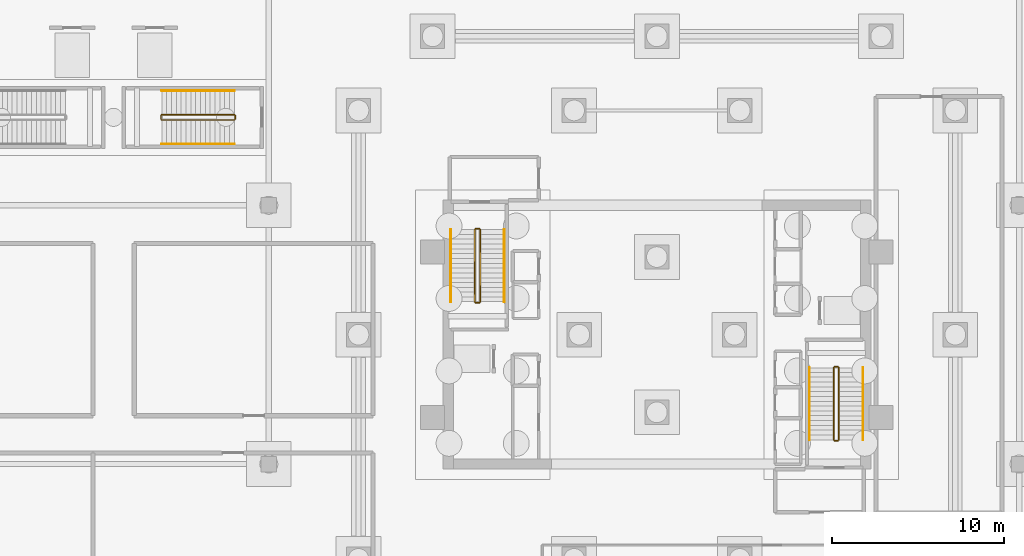
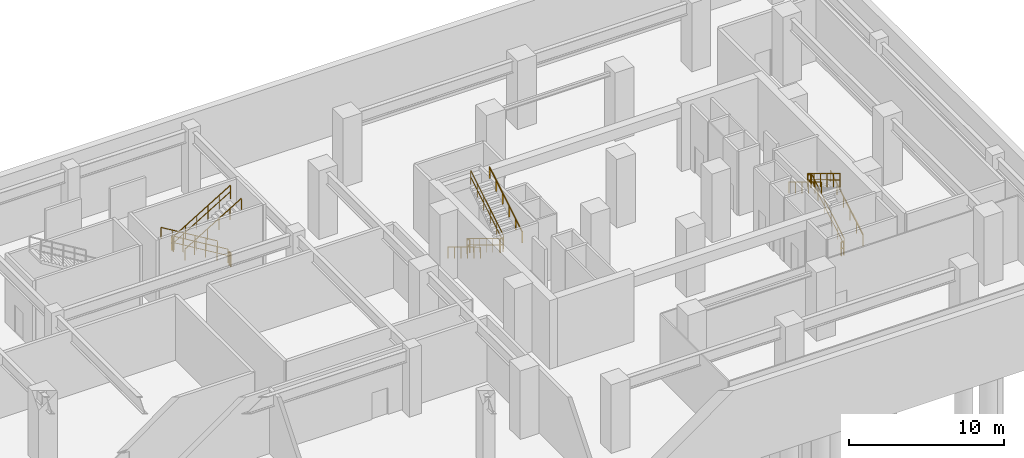
# One storey, part 13 of 14: 18 railings.
"""IFC4 building model written with IfcOpenShell, lengths in metres."""

from ifc_helpers import new_model, si_unit, direction, frame, origin, origin_2d, place, context, subcontext, project, spatial, rectangle, extrude, material, type_object, element, save


model = new_model("IFC4")

# Units and contexts
model_context = context("Model", 3, precision=1e-05, world=origin(), true_north=direction((0.0, 1.0)))
body_context = subcontext(model_context, "Body", "Model", "MODEL_VIEW")
ifc_project = project(units=[si_unit("LENGTHUNIT", "METRE"), si_unit("AREAUNIT", "SQUARE_METRE"), si_unit("VOLUMEUNIT", "CUBIC_METRE"), si_unit("PLANEANGLEUNIT", "RADIAN"), si_unit("MASSUNIT", "GRAM", prefix="KILO")], contexts=[model_context])

# Site, building, storey
site_placement = place(None, origin())
site = spatial("IfcSite", under=ifc_project, at=site_placement, CompositionType="ELEMENT")
building_placement = place(site_placement, origin())
building = spatial("IfcBuilding", under=site, at=building_placement, Name="Thornwick Lancets Civic Towers", CompositionType="ELEMENT")
storey_placement = place(building_placement, frame((0.0, 0.0, -5.39990234375)))
storey = spatial("IfcBuildingStorey", under=building, at=storey_placement, Name="B01", CompositionType="ELEMENT", Elevation=-5.39990234375)

# Railings
ifc_material_1 = material(Name="Brushed stainless steel S355", Category="steel")
railing_type_1 = type_object("IfcRailingType", Name="RAIL_HANDRAIL", PredefinedType="HANDRAIL", material=ifc_material_1)
railing_1_placement = place(storey_placement, frame((100.449951171875, 20.89990234375, 0.168701171875)))
element("IfcRailing", 1, at=railing_1_placement, inside=storey, type_object=railing_type_1, Name="B01 ST-B1 stair handrail 1", PredefinedType="HANDRAIL", context=body_context, shape_type="SweptSolid", body=[
    extrude(rectangle(XDim=0.048095703125, YDim=0.048095703125, at=origin_2d()), frame((0.0, 0.0, 0.8857421875), z_axis=(0.0, 0.856489757249, 0.516164020179), x_axis=(-1.0, 0.0, 0.0)), (0.0, 0.0, 1.0), 4.904052734375),
    extrude(rectangle(XDim=0.0419921875, YDim=0.0419921875, at=origin_2d()), origin(), (0.0, 0.0, 1.0), 0.855712890625),
    extrude(rectangle(XDim=0.0419921875, YDim=0.0419921875, at=origin_2d()), frame((0.0, 0.840087890625, 0.50634765625)), (0.0, 0.0, 1.0), 0.855712890625),
    extrude(rectangle(XDim=0.0419921875, YDim=0.0419921875, at=origin_2d()), frame((0.0, 1.68017578125, 1.012451171875)), (0.0, 0.0, 1.0), 0.855712890625),
    extrude(rectangle(XDim=0.0419921875, YDim=0.0419921875, at=origin_2d()), frame((0.0, 2.52001953125, 1.518798828125)), (0.0, 0.0, 1.0), 0.855712890625),
    extrude(rectangle(XDim=0.0419921875, YDim=0.0419921875, at=origin_2d()), frame((0.0, 3.360107421875, 2.02490234375)), (0.0, 0.0, 1.0), 0.855712890625),
    extrude(rectangle(XDim=0.0419921875, YDim=0.0419921875, at=origin_2d()), frame((0.0, 4.2001953125, 2.53125)), (0.0, 0.0, 1.0), 0.855712890625),
])
for number, where, name in (
    (2, (97.35009765625, 25.10009765625, 2.86865234375), "B01 ST-B1 stair handrail 2"),
    (3, (76.550048828125, 33.10009765625, 0.168701171875), "B01 ST-B2 stair handrail 1"),
):
    element("IfcRailing", number, at=place(storey_placement, frame(where)), inside=storey, type_object=railing_type_1, Name=name, PredefinedType="HANDRAIL", context=body_context, shape_type="SweptSolid", body=[
        extrude(rectangle(XDim=0.048095703125, YDim=0.048095703125, at=origin_2d()), frame((0.0, 0.0, 0.8857421875), z_axis=(0.0, -0.856489757249, 0.516164020179), x_axis=(1.0, 0.0, 0.0)), (0.0, 0.0, 1.0), 4.904052734375),
        extrude(rectangle(XDim=0.0419921875, YDim=0.0419921875, at=origin_2d()), origin(), (0.0, 0.0, 1.0), 0.855712890625),
        extrude(rectangle(XDim=0.0419921875, YDim=0.0419921875, at=origin_2d()), frame((0.0, -0.840087890625, 0.50634765625)), (0.0, 0.0, 1.0), 0.855712890625),
        extrude(rectangle(XDim=0.0419921875, YDim=0.0419921875, at=origin_2d()), frame((0.0, -1.68017578125, 1.012451171875)), (0.0, 0.0, 1.0), 0.855712890625),
        extrude(rectangle(XDim=0.0419921875, YDim=0.0419921875, at=origin_2d()), frame((0.0, -2.52001953125, 1.518798828125)), (0.0, 0.0, 1.0), 0.855712890625),
        extrude(rectangle(XDim=0.0419921875, YDim=0.0419921875, at=origin_2d()), frame((0.0, -3.360107421875, 2.02490234375)), (0.0, 0.0, 1.0), 0.855712890625),
        extrude(rectangle(XDim=0.0419921875, YDim=0.0419921875, at=origin_2d()), frame((0.0, -4.2001953125, 2.53125)), (0.0, 0.0, 1.0), 0.855712890625),
    ])
railing_2_placement = place(storey_placement, frame((79.64990234375, 28.89990234375, 2.86865234375)))
element("IfcRailing", 4, at=railing_2_placement, inside=storey, type_object=railing_type_1, Name="B01 ST-B2 stair handrail 2", PredefinedType="HANDRAIL", context=body_context, shape_type="SweptSolid", body=[
    extrude(rectangle(XDim=0.048095703125, YDim=0.048095703125, at=origin_2d()), frame((0.0, 0.0, 0.8857421875), z_axis=(0.0, 0.856489757249, 0.516164020179), x_axis=(-1.0, 0.0, 0.0)), (0.0, 0.0, 1.0), 4.904052734375),
    extrude(rectangle(XDim=0.0419921875, YDim=0.0419921875, at=origin_2d()), origin(), (0.0, 0.0, 1.0), 0.855712890625),
    extrude(rectangle(XDim=0.0419921875, YDim=0.0419921875, at=origin_2d()), frame((0.0, 0.840087890625, 0.50634765625)), (0.0, 0.0, 1.0), 0.855712890625),
    extrude(rectangle(XDim=0.0419921875, YDim=0.0419921875, at=origin_2d()), frame((0.0, 1.68017578125, 1.012451171875)), (0.0, 0.0, 1.0), 0.855712890625),
    extrude(rectangle(XDim=0.0419921875, YDim=0.0419921875, at=origin_2d()), frame((0.0, 2.52001953125, 1.518798828125)), (0.0, 0.0, 1.0), 0.855712890625),
    extrude(rectangle(XDim=0.0419921875, YDim=0.0419921875, at=origin_2d()), frame((0.0, 3.360107421875, 2.02490234375)), (0.0, 0.0, 1.0), 0.855712890625),
    extrude(rectangle(XDim=0.0419921875, YDim=0.0419921875, at=origin_2d()), frame((0.0, 4.2001953125, 2.53125)), (0.0, 0.0, 1.0), 0.855712890625),
])
railing_3_placement = place(storey_placement, frame((64.0, 41.14990234375, 0.168701171875)))
element("IfcRailing", 5, at=railing_3_placement, inside=storey, type_object=railing_type_1, Name="B01 ST-P6 stair handrail 1", PredefinedType="HANDRAIL", context=body_context, shape_type="SweptSolid", body=[
    extrude(rectangle(XDim=0.048095703125, YDim=0.048095703125, at=origin_2d()), frame((0.0, 0.0, 0.8857421875), z_axis=(-0.856476492594, 0.0, 0.516186030065), x_axis=(0.0, -1.0, 0.0)), (0.0, 0.0, 1.0), 4.90380859375),
    extrude(rectangle(XDim=0.0419921875, YDim=0.0419921875, at=origin_2d()), origin(), (0.0, 0.0, 1.0), 0.855712890625),
    extrude(rectangle(XDim=0.0419921875, YDim=0.0419921875, at=origin_2d()), frame((-0.840087890625, 0.0, 0.50634765625)), (0.0, 0.0, 1.0), 0.855712890625),
    extrude(rectangle(XDim=0.0419921875, YDim=0.0419921875, at=origin_2d()), frame((-1.679931640625, 0.0, 1.012451171875)), (0.0, 0.0, 1.0), 0.855712890625),
    extrude(rectangle(XDim=0.0419921875, YDim=0.0419921875, at=origin_2d()), frame((-2.52001953125, 0.0, 1.518798828125)), (0.0, 0.0, 1.0), 0.855712890625),
    extrude(rectangle(XDim=0.0419921875, YDim=0.0419921875, at=origin_2d()), frame((-3.35986328125, 0.0, 2.02490234375)), (0.0, 0.0, 1.0), 0.855712890625),
    extrude(rectangle(XDim=0.0419921875, YDim=0.0419921875, at=origin_2d()), frame((-4.199951171875, 0.0, 2.53125)), (0.0, 0.0, 1.0), 0.855712890625),
])
railing_4_placement = place(storey_placement, frame((59.800048828125, 38.050048828125, 2.86865234375)))
element("IfcRailing", 6, at=railing_4_placement, inside=storey, type_object=railing_type_1, Name="B01 ST-P6 stair handrail 2", PredefinedType="HANDRAIL", context=body_context, shape_type="SweptSolid", body=[
    extrude(rectangle(XDim=0.048095703125, YDim=0.048095703125, at=origin_2d()), frame((0.0, 0.0, 0.8857421875), z_axis=(0.856476492594, 0.0, 0.516186030065), x_axis=(0.0, 1.0, 0.0)), (0.0, 0.0, 1.0), 4.90380859375),
    extrude(rectangle(XDim=0.0419921875, YDim=0.0419921875, at=origin_2d()), origin(), (0.0, 0.0, 1.0), 0.855712890625),
    extrude(rectangle(XDim=0.0419921875, YDim=0.0419921875, at=origin_2d()), frame((0.840087890625, 0.0, 0.50634765625)), (0.0, 0.0, 1.0), 0.855712890625),
    extrude(rectangle(XDim=0.0419921875, YDim=0.0419921875, at=origin_2d()), frame((1.679931640625, 0.0, 1.012451171875)), (0.0, 0.0, 1.0), 0.855712890625),
    extrude(rectangle(XDim=0.0419921875, YDim=0.0419921875, at=origin_2d()), frame((2.52001953125, 0.0, 1.518798828125)), (0.0, 0.0, 1.0), 0.855712890625),
    extrude(rectangle(XDim=0.0419921875, YDim=0.0419921875, at=origin_2d()), frame((3.35986328125, 0.0, 2.02490234375)), (0.0, 0.0, 1.0), 0.855712890625),
    extrude(rectangle(XDim=0.0419921875, YDim=0.0419921875, at=origin_2d()), frame((4.199951171875, 0.0, 2.53125)), (0.0, 0.0, 1.0), 0.855712890625),
])
ifc_material_2 = material(Name="Steel S355JR", Category="steel")
railing_type_2 = type_object("IfcRailingType", Name="RAIL_STAIR_GUARD", PredefinedType="GUARDRAIL", material=ifc_material_2)
railing_5_placement = place(storey_placement, frame((99.050048828125, 20.89990234375, 0.168701171875)))
element("IfcRailing", 7, at=railing_5_placement, inside=storey, type_object=railing_type_2, Name="B01 ST-B1 stair guard 1", PredefinedType="GUARDRAIL", context=body_context, shape_type="SweptSolid", body=[
    extrude(rectangle(XDim=0.048095703125, YDim=0.048095703125, at=origin_2d()), frame((0.0, 0.0, 1.076171875), z_axis=(0.0, 0.856489757249, 0.516164020179), x_axis=(-1.0, 0.0, 0.0)), (0.0, 0.0, 1.0), 4.904052734375),
    extrude(rectangle(XDim=0.0419921875, YDim=0.0419921875, at=origin_2d()), frame((0.0, 0.0322265625, 0.59130859375), z_axis=(0.0, 0.856489757249, 0.516164020179), x_axis=(-1.0, 0.0, 0.0)), (0.0, 0.0, 1.0), 0.90576171875),
    extrude(rectangle(XDim=0.0419921875, YDim=0.0419921875, at=origin_2d()), frame((0.0, 0.8720703125, 1.09765625), z_axis=(0.0, 0.856489757249, 0.516164020179), x_axis=(-1.0, 0.0, 0.0)), (0.0, 0.0, 1.0), 0.90576171875),
    extrude(rectangle(XDim=0.0419921875, YDim=0.0419921875, at=origin_2d()), frame((0.0, 1.712158203125, 1.60400390625), z_axis=(0.0, 0.856489757249, 0.516164020179), x_axis=(-1.0, 0.0, 0.0)), (0.0, 0.0, 1.0), 0.90576171875),
    extrude(rectangle(XDim=0.0419921875, YDim=0.0419921875, at=origin_2d()), frame((0.0, 2.55224609375, 2.110107421875), z_axis=(0.0, 0.856489757249, 0.516164020179), x_axis=(-1.0, 0.0, 0.0)), (0.0, 0.0, 1.0), 0.90576171875),
    extrude(rectangle(XDim=0.0419921875, YDim=0.0419921875, at=origin_2d()), frame((0.0, 3.392333984375, 2.616455078125), z_axis=(0.0, 0.856489757249, 0.516164020179), x_axis=(-1.0, 0.0, 0.0)), (0.0, 0.0, 1.0), 0.90576171875),
    extrude(rectangle(XDim=0.0419921875, YDim=0.0419921875, at=origin_2d()), origin(), (0.0, 0.0, 1.0), 1.0458984375),
    extrude(rectangle(XDim=0.0419921875, YDim=0.0419921875, at=origin_2d()), frame((0.0, 0.840087890625, 0.50634765625)), (0.0, 0.0, 1.0), 1.0458984375),
    extrude(rectangle(XDim=0.0419921875, YDim=0.0419921875, at=origin_2d()), frame((0.0, 1.68017578125, 1.012451171875)), (0.0, 0.0, 1.0), 1.0458984375),
    extrude(rectangle(XDim=0.0419921875, YDim=0.0419921875, at=origin_2d()), frame((0.0, 2.52001953125, 1.518798828125)), (0.0, 0.0, 1.0), 1.0458984375),
    extrude(rectangle(XDim=0.0419921875, YDim=0.0419921875, at=origin_2d()), frame((0.0, 3.360107421875, 2.02490234375)), (0.0, 0.0, 1.0), 1.0458984375),
    extrude(rectangle(XDim=0.0419921875, YDim=0.0419921875, at=origin_2d()), frame((0.0, 4.2001953125, 2.53125)), (0.0, 0.0, 1.0), 1.0458984375),
])
railing_6_placement = place(storey_placement, frame((99.0, 25.14990234375, 2.699951171875)))
element("IfcRailing", 8, at=railing_6_placement, inside=storey, type_object=railing_type_2, Name="B01 ST-B1 stair guard 2", PredefinedType="GUARDRAIL", context=body_context, shape_type="SweptSolid", body=[
    extrude(rectangle(XDim=0.048095703125, YDim=0.048095703125, at=origin_2d()), frame((0.0, 0.0, 1.076171875), z_axis=(-1.0, 0.0, 0.0), x_axis=(0.0, -1.0, 0.0)), (0.0, 0.0, 1.0), 0.199951171875),
    extrude(rectangle(XDim=0.0419921875, YDim=0.0419921875, at=origin_2d()), frame((-0.03759765625, 0.0, 0.572021484375), z_axis=(-1.0, 0.0, 0.0), x_axis=(0.0, -1.0, 0.0)), (0.0, 0.0, 1.0), 0.125),
    extrude(rectangle(XDim=0.0419921875, YDim=0.0419921875, at=origin_2d()), origin(), (0.0, 0.0, 1.0), 1.0458984375),
    extrude(rectangle(XDim=0.0419921875, YDim=0.0419921875, at=origin_2d()), frame((-0.199951171875, 0.0, 0.0)), (0.0, 0.0, 1.0), 1.0458984375),
])
railing_7_placement = place(storey_placement, frame((98.75, 25.10009765625, 2.86865234375)))
element("IfcRailing", 9, at=railing_7_placement, inside=storey, type_object=railing_type_2, Name="B01 ST-B1 stair guard 3", PredefinedType="GUARDRAIL", context=body_context, shape_type="SweptSolid", body=[
    extrude(rectangle(XDim=0.048095703125, YDim=0.048095703125, at=origin_2d()), frame((0.0, 0.0, 1.076171875), z_axis=(0.0, -0.856489757249, 0.516164020179), x_axis=(1.0, 0.0, 0.0)), (0.0, 0.0, 1.0), 4.904052734375),
    extrude(rectangle(XDim=0.0419921875, YDim=0.0419921875, at=origin_2d()), frame((0.0, -0.0322265625, 0.59130859375), z_axis=(0.0, -0.856489757249, 0.516164020179), x_axis=(1.0, 0.0, 0.0)), (0.0, 0.0, 1.0), 0.90576171875),
    extrude(rectangle(XDim=0.0419921875, YDim=0.0419921875, at=origin_2d()), frame((0.0, -0.8720703125, 1.09765625), z_axis=(0.0, -0.856489757249, 0.516164020179), x_axis=(1.0, 0.0, 0.0)), (0.0, 0.0, 1.0), 0.90576171875),
    extrude(rectangle(XDim=0.0419921875, YDim=0.0419921875, at=origin_2d()), frame((0.0, -1.712158203125, 1.60400390625), z_axis=(0.0, -0.856489757249, 0.516164020179), x_axis=(1.0, 0.0, 0.0)), (0.0, 0.0, 1.0), 0.90576171875),
    extrude(rectangle(XDim=0.0419921875, YDim=0.0419921875, at=origin_2d()), frame((0.0, -2.55224609375, 2.110107421875), z_axis=(0.0, -0.856489757249, 0.516164020179), x_axis=(1.0, 0.0, 0.0)), (0.0, 0.0, 1.0), 0.90576171875),
    extrude(rectangle(XDim=0.0419921875, YDim=0.0419921875, at=origin_2d()), frame((0.0, -3.392333984375, 2.616455078125), z_axis=(0.0, -0.856489757249, 0.516164020179), x_axis=(1.0, 0.0, 0.0)), (0.0, 0.0, 1.0), 0.90576171875),
    extrude(rectangle(XDim=0.0419921875, YDim=0.0419921875, at=origin_2d()), origin(), (0.0, 0.0, 1.0), 1.0458984375),
    extrude(rectangle(XDim=0.0419921875, YDim=0.0419921875, at=origin_2d()), frame((0.0, -0.840087890625, 0.50634765625)), (0.0, 0.0, 1.0), 1.0458984375),
    extrude(rectangle(XDim=0.0419921875, YDim=0.0419921875, at=origin_2d()), frame((0.0, -1.68017578125, 1.012451171875)), (0.0, 0.0, 1.0), 1.0458984375),
    extrude(rectangle(XDim=0.0419921875, YDim=0.0419921875, at=origin_2d()), frame((0.0, -2.52001953125, 1.518798828125)), (0.0, 0.0, 1.0), 1.0458984375),
    extrude(rectangle(XDim=0.0419921875, YDim=0.0419921875, at=origin_2d()), frame((0.0, -3.360107421875, 2.02490234375)), (0.0, 0.0, 1.0), 1.0458984375),
    extrude(rectangle(XDim=0.0419921875, YDim=0.0419921875, at=origin_2d()), frame((0.0, -4.2001953125, 2.53125)), (0.0, 0.0, 1.0), 1.0458984375),
])
railing_8_placement = place(storey_placement, frame((99.0, 20.85009765625, 0.0)))
element("IfcRailing", 10, at=railing_8_placement, inside=storey, type_object=railing_type_2, Name="B01 ST-B1 stair guard 4", PredefinedType="GUARDRAIL", context=body_context, shape_type="SweptSolid", body=[
    extrude(rectangle(XDim=0.048095703125, YDim=0.048095703125, at=origin_2d()), frame((0.0, 0.0, 1.076171875), z_axis=(-1.0, 0.0, 0.0), x_axis=(0.0, -1.0, 0.0)), (0.0, 0.0, 1.0), 0.199951171875),
    extrude(rectangle(XDim=0.0419921875, YDim=0.0419921875, at=origin_2d()), frame((-0.03759765625, 0.0, 0.572021484375), z_axis=(-1.0, 0.0, 0.0), x_axis=(0.0, -1.0, 0.0)), (0.0, 0.0, 1.0), 0.125),
    extrude(rectangle(XDim=0.0419921875, YDim=0.0419921875, at=origin_2d()), origin(), (0.0, 0.0, 1.0), 1.0458984375),
    extrude(rectangle(XDim=0.0419921875, YDim=0.0419921875, at=origin_2d()), frame((-0.199951171875, 0.0, 0.0)), (0.0, 0.0, 1.0), 1.0458984375),
])
railing_9_placement = place(storey_placement, frame((77.949951171875, 33.10009765625, 0.168701171875)))
element("IfcRailing", 11, at=railing_9_placement, inside=storey, type_object=railing_type_2, Name="B01 ST-B2 stair guard 1", PredefinedType="GUARDRAIL", context=body_context, shape_type="SweptSolid", body=[
    extrude(rectangle(XDim=0.048095703125, YDim=0.048095703125, at=origin_2d()), frame((0.0, 0.0, 1.076171875), z_axis=(0.0, -0.856489757249, 0.516164020179), x_axis=(1.0, 0.0, 0.0)), (0.0, 0.0, 1.0), 4.904052734375),
    extrude(rectangle(XDim=0.0419921875, YDim=0.0419921875, at=origin_2d()), frame((0.0, -0.0322265625, 0.59130859375), z_axis=(0.0, -0.856489757249, 0.516164020179), x_axis=(1.0, 0.0, 0.0)), (0.0, 0.0, 1.0), 0.90576171875),
    extrude(rectangle(XDim=0.0419921875, YDim=0.0419921875, at=origin_2d()), frame((0.0, -0.8720703125, 1.09765625), z_axis=(0.0, -0.856489757249, 0.516164020179), x_axis=(1.0, 0.0, 0.0)), (0.0, 0.0, 1.0), 0.90576171875),
    extrude(rectangle(XDim=0.0419921875, YDim=0.0419921875, at=origin_2d()), frame((0.0, -1.712158203125, 1.60400390625), z_axis=(0.0, -0.856489757249, 0.516164020179), x_axis=(1.0, 0.0, 0.0)), (0.0, 0.0, 1.0), 0.90576171875),
    extrude(rectangle(XDim=0.0419921875, YDim=0.0419921875, at=origin_2d()), frame((0.0, -2.55224609375, 2.110107421875), z_axis=(0.0, -0.856489757249, 0.516164020179), x_axis=(1.0, 0.0, 0.0)), (0.0, 0.0, 1.0), 0.90576171875),
    extrude(rectangle(XDim=0.0419921875, YDim=0.0419921875, at=origin_2d()), frame((0.0, -3.392333984375, 2.616455078125), z_axis=(0.0, -0.856489757249, 0.516164020179), x_axis=(1.0, 0.0, 0.0)), (0.0, 0.0, 1.0), 0.90576171875),
    extrude(rectangle(XDim=0.0419921875, YDim=0.0419921875, at=origin_2d()), origin(), (0.0, 0.0, 1.0), 1.0458984375),
    extrude(rectangle(XDim=0.0419921875, YDim=0.0419921875, at=origin_2d()), frame((0.0, -0.840087890625, 0.50634765625)), (0.0, 0.0, 1.0), 1.0458984375),
    extrude(rectangle(XDim=0.0419921875, YDim=0.0419921875, at=origin_2d()), frame((0.0, -1.68017578125, 1.012451171875)), (0.0, 0.0, 1.0), 1.0458984375),
    extrude(rectangle(XDim=0.0419921875, YDim=0.0419921875, at=origin_2d()), frame((0.0, -2.52001953125, 1.518798828125)), (0.0, 0.0, 1.0), 1.0458984375),
    extrude(rectangle(XDim=0.0419921875, YDim=0.0419921875, at=origin_2d()), frame((0.0, -3.360107421875, 2.02490234375)), (0.0, 0.0, 1.0), 1.0458984375),
    extrude(rectangle(XDim=0.0419921875, YDim=0.0419921875, at=origin_2d()), frame((0.0, -4.2001953125, 2.53125)), (0.0, 0.0, 1.0), 1.0458984375),
])
railing_10_placement = place(storey_placement, frame((78.0, 28.85009765625, 2.699951171875)))
element("IfcRailing", 12, at=railing_10_placement, inside=storey, type_object=railing_type_2, Name="B01 ST-B2 stair guard 2", PredefinedType="GUARDRAIL", context=body_context, shape_type="SweptSolid", body=[
    extrude(rectangle(XDim=0.048095703125, YDim=0.048095703125, at=origin_2d()), frame((0.0, 0.0, 1.076171875), z_axis=(1.0, 0.0, 0.0), x_axis=(0.0, 1.0, 0.0)), (0.0, 0.0, 1.0), 0.199951171875),
    extrude(rectangle(XDim=0.0419921875, YDim=0.0419921875, at=origin_2d()), frame((0.03759765625, 0.0, 0.572021484375), z_axis=(1.0, 0.0, 0.0), x_axis=(0.0, 1.0, 0.0)), (0.0, 0.0, 1.0), 0.125),
    extrude(rectangle(XDim=0.0419921875, YDim=0.0419921875, at=origin_2d()), origin(), (0.0, 0.0, 1.0), 1.0458984375),
    extrude(rectangle(XDim=0.0419921875, YDim=0.0419921875, at=origin_2d()), frame((0.199951171875, 0.0, 0.0)), (0.0, 0.0, 1.0), 1.0458984375),
])
railing_11_placement = place(storey_placement, frame((78.25, 28.89990234375, 2.86865234375)))
element("IfcRailing", 13, at=railing_11_placement, inside=storey, type_object=railing_type_2, Name="B01 ST-B2 stair guard 3", PredefinedType="GUARDRAIL", context=body_context, shape_type="SweptSolid", body=[
    extrude(rectangle(XDim=0.048095703125, YDim=0.048095703125, at=origin_2d()), frame((0.0, 0.0, 1.076171875), z_axis=(0.0, 0.856489757249, 0.516164020179), x_axis=(-1.0, 0.0, 0.0)), (0.0, 0.0, 1.0), 4.904052734375),
    extrude(rectangle(XDim=0.0419921875, YDim=0.0419921875, at=origin_2d()), frame((0.0, 0.0322265625, 0.59130859375), z_axis=(0.0, 0.856489757249, 0.516164020179), x_axis=(-1.0, 0.0, 0.0)), (0.0, 0.0, 1.0), 0.90576171875),
    extrude(rectangle(XDim=0.0419921875, YDim=0.0419921875, at=origin_2d()), frame((0.0, 0.8720703125, 1.09765625), z_axis=(0.0, 0.856489757249, 0.516164020179), x_axis=(-1.0, 0.0, 0.0)), (0.0, 0.0, 1.0), 0.90576171875),
    extrude(rectangle(XDim=0.0419921875, YDim=0.0419921875, at=origin_2d()), frame((0.0, 1.712158203125, 1.60400390625), z_axis=(0.0, 0.856489757249, 0.516164020179), x_axis=(-1.0, 0.0, 0.0)), (0.0, 0.0, 1.0), 0.90576171875),
    extrude(rectangle(XDim=0.0419921875, YDim=0.0419921875, at=origin_2d()), frame((0.0, 2.55224609375, 2.110107421875), z_axis=(0.0, 0.856489757249, 0.516164020179), x_axis=(-1.0, 0.0, 0.0)), (0.0, 0.0, 1.0), 0.90576171875),
    extrude(rectangle(XDim=0.0419921875, YDim=0.0419921875, at=origin_2d()), frame((0.0, 3.392333984375, 2.616455078125), z_axis=(0.0, 0.856489757249, 0.516164020179), x_axis=(-1.0, 0.0, 0.0)), (0.0, 0.0, 1.0), 0.90576171875),
    extrude(rectangle(XDim=0.0419921875, YDim=0.0419921875, at=origin_2d()), origin(), (0.0, 0.0, 1.0), 1.0458984375),
    extrude(rectangle(XDim=0.0419921875, YDim=0.0419921875, at=origin_2d()), frame((0.0, 0.840087890625, 0.50634765625)), (0.0, 0.0, 1.0), 1.0458984375),
    extrude(rectangle(XDim=0.0419921875, YDim=0.0419921875, at=origin_2d()), frame((0.0, 1.68017578125, 1.012451171875)), (0.0, 0.0, 1.0), 1.0458984375),
    extrude(rectangle(XDim=0.0419921875, YDim=0.0419921875, at=origin_2d()), frame((0.0, 2.52001953125, 1.518798828125)), (0.0, 0.0, 1.0), 1.0458984375),
    extrude(rectangle(XDim=0.0419921875, YDim=0.0419921875, at=origin_2d()), frame((0.0, 3.360107421875, 2.02490234375)), (0.0, 0.0, 1.0), 1.0458984375),
    extrude(rectangle(XDim=0.0419921875, YDim=0.0419921875, at=origin_2d()), frame((0.0, 4.2001953125, 2.53125)), (0.0, 0.0, 1.0), 1.0458984375),
])
railing_12_placement = place(storey_placement, frame((78.0, 33.14990234375, 0.0)))
element("IfcRailing", 14, at=railing_12_placement, inside=storey, type_object=railing_type_2, Name="B01 ST-B2 stair guard 4", PredefinedType="GUARDRAIL", context=body_context, shape_type="SweptSolid", body=[
    extrude(rectangle(XDim=0.048095703125, YDim=0.048095703125, at=origin_2d()), frame((0.0, 0.0, 1.076171875), z_axis=(1.0, 0.0, 0.0), x_axis=(0.0, 1.0, 0.0)), (0.0, 0.0, 1.0), 0.199951171875),
    extrude(rectangle(XDim=0.0419921875, YDim=0.0419921875, at=origin_2d()), frame((0.03759765625, 0.0, 0.572021484375), z_axis=(1.0, 0.0, 0.0), x_axis=(0.0, 1.0, 0.0)), (0.0, 0.0, 1.0), 0.125),
    extrude(rectangle(XDim=0.0419921875, YDim=0.0419921875, at=origin_2d()), origin(), (0.0, 0.0, 1.0), 1.0458984375),
    extrude(rectangle(XDim=0.0419921875, YDim=0.0419921875, at=origin_2d()), frame((0.199951171875, 0.0, 0.0)), (0.0, 0.0, 1.0), 1.0458984375),
])
railing_13_placement = place(storey_placement, frame((64.0, 39.75, 0.168701171875)))
element("IfcRailing", 15, at=railing_13_placement, inside=storey, type_object=railing_type_2, Name="B01 ST-P6 stair guard 1", PredefinedType="GUARDRAIL", context=body_context, shape_type="SweptSolid", body=[
    extrude(rectangle(XDim=0.048095703125, YDim=0.048095703125, at=origin_2d()), frame((0.0, 0.0, 1.076171875), z_axis=(-0.856476492594, 0.0, 0.516186030065), x_axis=(0.0, -1.0, 0.0)), (0.0, 0.0, 1.0), 4.90380859375),
    extrude(rectangle(XDim=0.0419921875, YDim=0.0419921875, at=origin_2d()), frame((-0.0322265625, 0.0, 0.59130859375), z_axis=(-0.856476492594, 0.0, 0.516186030065), x_axis=(0.0, -1.0, 0.0)), (0.0, 0.0, 1.0), 0.90576171875),
    extrude(rectangle(XDim=0.0419921875, YDim=0.0419921875, at=origin_2d()), frame((-0.8720703125, 0.0, 1.09765625), z_axis=(-0.856476492594, 0.0, 0.516186030065), x_axis=(0.0, -1.0, 0.0)), (0.0, 0.0, 1.0), 0.90576171875),
    extrude(rectangle(XDim=0.0419921875, YDim=0.0419921875, at=origin_2d()), frame((-1.712158203125, 0.0, 1.60400390625), z_axis=(-0.856476492594, 0.0, 0.516186030065), x_axis=(0.0, -1.0, 0.0)), (0.0, 0.0, 1.0), 0.90576171875),
    extrude(rectangle(XDim=0.0419921875, YDim=0.0419921875, at=origin_2d()), frame((-2.552001953125, 0.0, 2.110107421875), z_axis=(-0.856476492594, 0.0, 0.516186030065), x_axis=(0.0, -1.0, 0.0)), (0.0, 0.0, 1.0), 0.90576171875),
    extrude(rectangle(XDim=0.0419921875, YDim=0.0419921875, at=origin_2d()), frame((-3.39208984375, 0.0, 2.616455078125), z_axis=(-0.856476492594, 0.0, 0.516186030065), x_axis=(0.0, -1.0, 0.0)), (0.0, 0.0, 1.0), 0.90576171875),
    extrude(rectangle(XDim=0.0419921875, YDim=0.0419921875, at=origin_2d()), origin(), (0.0, 0.0, 1.0), 1.0458984375),
    extrude(rectangle(XDim=0.0419921875, YDim=0.0419921875, at=origin_2d()), frame((-0.840087890625, 0.0, 0.50634765625)), (0.0, 0.0, 1.0), 1.0458984375),
    extrude(rectangle(XDim=0.0419921875, YDim=0.0419921875, at=origin_2d()), frame((-1.679931640625, 0.0, 1.012451171875)), (0.0, 0.0, 1.0), 1.0458984375),
    extrude(rectangle(XDim=0.0419921875, YDim=0.0419921875, at=origin_2d()), frame((-2.52001953125, 0.0, 1.518798828125)), (0.0, 0.0, 1.0), 1.0458984375),
    extrude(rectangle(XDim=0.0419921875, YDim=0.0419921875, at=origin_2d()), frame((-3.35986328125, 0.0, 2.02490234375)), (0.0, 0.0, 1.0), 1.0458984375),
    extrude(rectangle(XDim=0.0419921875, YDim=0.0419921875, at=origin_2d()), frame((-4.199951171875, 0.0, 2.53125)), (0.0, 0.0, 1.0), 1.0458984375),
])
railing_14_placement = place(storey_placement, frame((59.75, 39.699951171875, 2.699951171875)))
element("IfcRailing", 16, at=railing_14_placement, inside=storey, type_object=railing_type_2, Name="B01 ST-P6 stair guard 2", PredefinedType="GUARDRAIL", context=body_context, shape_type="SweptSolid", body=[
    extrude(rectangle(XDim=0.048095703125, YDim=0.048095703125, at=origin_2d()), frame((0.0, 0.0, 1.076171875), z_axis=(0.0, -1.0, 0.0), x_axis=(1.0, 0.0, 0.0)), (0.0, 0.0, 1.0), 0.199951171875),
    extrude(rectangle(XDim=0.0419921875, YDim=0.0419921875, at=origin_2d()), frame((0.0, -0.03759765625, 0.572021484375), z_axis=(0.0, -1.0, 0.0), x_axis=(1.0, 0.0, 0.0)), (0.0, 0.0, 1.0), 0.125),
    extrude(rectangle(XDim=0.0419921875, YDim=0.0419921875, at=origin_2d()), origin(), (0.0, 0.0, 1.0), 1.0458984375),
    extrude(rectangle(XDim=0.0419921875, YDim=0.0419921875, at=origin_2d()), frame((0.0, -0.199951171875, 0.0)), (0.0, 0.0, 1.0), 1.0458984375),
])
railing_15_placement = place(storey_placement, frame((59.800048828125, 39.449951171875, 2.86865234375)))
element("IfcRailing", 17, at=railing_15_placement, inside=storey, type_object=railing_type_2, Name="B01 ST-P6 stair guard 3", PredefinedType="GUARDRAIL", context=body_context, shape_type="SweptSolid", body=[
    extrude(rectangle(XDim=0.048095703125, YDim=0.048095703125, at=origin_2d()), frame((0.0, 0.0, 1.076171875), z_axis=(0.856476492594, 0.0, 0.516186030065), x_axis=(0.0, 1.0, 0.0)), (0.0, 0.0, 1.0), 4.90380859375),
    extrude(rectangle(XDim=0.0419921875, YDim=0.0419921875, at=origin_2d()), frame((0.0322265625, 0.0, 0.59130859375), z_axis=(0.856476492594, 0.0, 0.516186030065), x_axis=(0.0, 1.0, 0.0)), (0.0, 0.0, 1.0), 0.90576171875),
    extrude(rectangle(XDim=0.0419921875, YDim=0.0419921875, at=origin_2d()), frame((0.8720703125, 0.0, 1.09765625), z_axis=(0.856476492594, 0.0, 0.516186030065), x_axis=(0.0, 1.0, 0.0)), (0.0, 0.0, 1.0), 0.90576171875),
    extrude(rectangle(XDim=0.0419921875, YDim=0.0419921875, at=origin_2d()), frame((1.712158203125, 0.0, 1.60400390625), z_axis=(0.856476492594, 0.0, 0.516186030065), x_axis=(0.0, 1.0, 0.0)), (0.0, 0.0, 1.0), 0.90576171875),
    extrude(rectangle(XDim=0.0419921875, YDim=0.0419921875, at=origin_2d()), frame((2.552001953125, 0.0, 2.110107421875), z_axis=(0.856476492594, 0.0, 0.516186030065), x_axis=(0.0, 1.0, 0.0)), (0.0, 0.0, 1.0), 0.90576171875),
    extrude(rectangle(XDim=0.0419921875, YDim=0.0419921875, at=origin_2d()), frame((3.39208984375, 0.0, 2.616455078125), z_axis=(0.856476492594, 0.0, 0.516186030065), x_axis=(0.0, 1.0, 0.0)), (0.0, 0.0, 1.0), 0.90576171875),
    extrude(rectangle(XDim=0.0419921875, YDim=0.0419921875, at=origin_2d()), origin(), (0.0, 0.0, 1.0), 1.0458984375),
    extrude(rectangle(XDim=0.0419921875, YDim=0.0419921875, at=origin_2d()), frame((0.840087890625, 0.0, 0.50634765625)), (0.0, 0.0, 1.0), 1.0458984375),
    extrude(rectangle(XDim=0.0419921875, YDim=0.0419921875, at=origin_2d()), frame((1.679931640625, 0.0, 1.012451171875)), (0.0, 0.0, 1.0), 1.0458984375),
    extrude(rectangle(XDim=0.0419921875, YDim=0.0419921875, at=origin_2d()), frame((2.52001953125, 0.0, 1.518798828125)), (0.0, 0.0, 1.0), 1.0458984375),
    extrude(rectangle(XDim=0.0419921875, YDim=0.0419921875, at=origin_2d()), frame((3.35986328125, 0.0, 2.02490234375)), (0.0, 0.0, 1.0), 1.0458984375),
    extrude(rectangle(XDim=0.0419921875, YDim=0.0419921875, at=origin_2d()), frame((4.199951171875, 0.0, 2.53125)), (0.0, 0.0, 1.0), 1.0458984375),
])
railing_16_placement = place(storey_placement, frame((64.050048828125, 39.699951171875, 0.0)))
element("IfcRailing", 18, at=railing_16_placement, inside=storey, type_object=railing_type_2, Name="B01 ST-P6 stair guard 4", PredefinedType="GUARDRAIL", context=body_context, shape_type="SweptSolid", body=[
    extrude(rectangle(XDim=0.048095703125, YDim=0.048095703125, at=origin_2d()), frame((0.0, 0.0, 1.076171875), z_axis=(0.0, -1.0, 0.0), x_axis=(1.0, 0.0, 0.0)), (0.0, 0.0, 1.0), 0.199951171875),
    extrude(rectangle(XDim=0.0419921875, YDim=0.0419921875, at=origin_2d()), frame((0.0, -0.03759765625, 0.572021484375), z_axis=(0.0, -1.0, 0.0), x_axis=(1.0, 0.0, 0.0)), (0.0, 0.0, 1.0), 0.125),
    extrude(rectangle(XDim=0.0419921875, YDim=0.0419921875, at=origin_2d()), origin(), (0.0, 0.0, 1.0), 1.0458984375),
    extrude(rectangle(XDim=0.0419921875, YDim=0.0419921875, at=origin_2d()), frame((0.0, -0.199951171875, 0.0)), (0.0, 0.0, 1.0), 1.0458984375),
])

save(model, "model.ifc")
